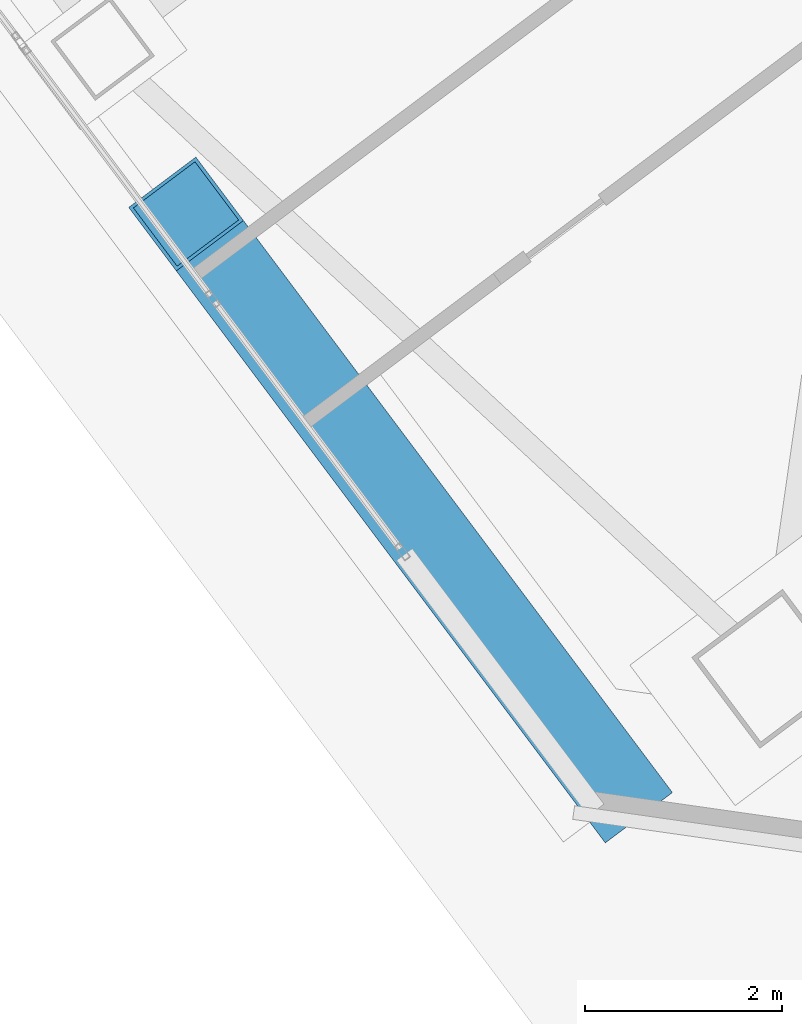
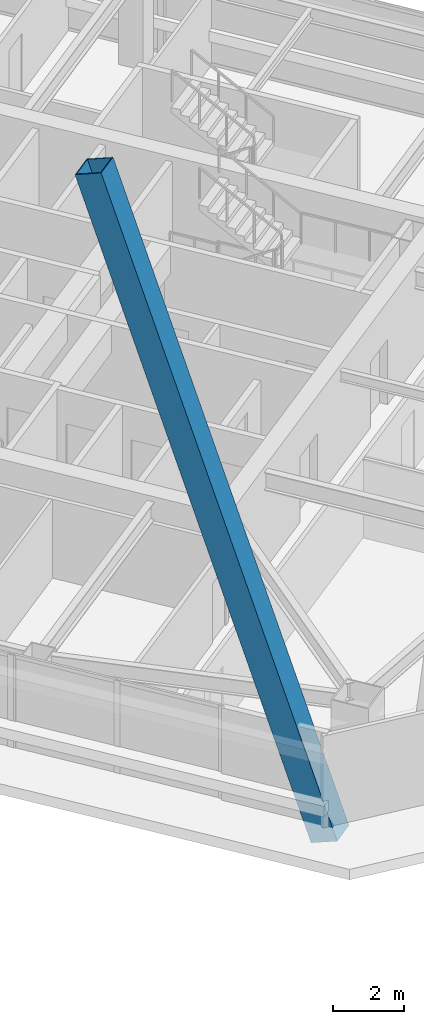
# One storey, part 28 of 65: 1 member.
"""IFC4 building model written with IfcOpenShell, lengths in metres."""

from ifc_helpers import new_model, si_unit, direction, frame, origin, origin_2d, place, context, subcontext, project, spatial, hollow_rectangle, extrude, material, material_profile, profile_set, type_object, element, save


model = new_model("IFC4")

# Units and contexts
model_context = context("Model", 3, precision=1e-05, world=origin(), true_north=direction((0.0, 1.0)))
body_context = subcontext(model_context, "Body", "Model", "MODEL_VIEW")
ifc_project = project(units=[si_unit("LENGTHUNIT", "METRE"), si_unit("AREAUNIT", "SQUARE_METRE"), si_unit("VOLUMEUNIT", "CUBIC_METRE"), si_unit("PLANEANGLEUNIT", "RADIAN"), si_unit("MASSUNIT", "GRAM", prefix="KILO")], contexts=[model_context])

# Site, building, storey
site_placement = place(None, origin())
site = spatial("IfcSite", under=ifc_project, at=site_placement, CompositionType="ELEMENT")
building_placement = place(site_placement, origin())
building = spatial("IfcBuilding", under=site, at=building_placement, Name="Tashvorn Skyway Center", CompositionType="ELEMENT")
storey_placement = place(building_placement, frame((0.0, 0.0, 157.0)))
storey = spatial("IfcBuildingStorey", under=building, at=storey_placement, Name="L42", CompositionType="ELEMENT", Elevation=157.0)

# Member
ifc_material = material(Name="Steel ASTM A572 Grade 50", Category="steel")
ifc_material_profile = material_profile(ifc_material, hollow_rectangle(XDim=0.85009765625, YDim=0.85009765625, WallThickness=0.034912109375, at=origin_2d()), Name="BOX850x850x35")
ifc_profile_set = profile_set([ifc_material_profile], Name="Steel ASTM A572 Grade 50")
member_type = type_object("IfcMemberType", Name="MEM-MB-850", PredefinedType="BRACE", material=ifc_profile_set)
member_placement = place(storey_placement, frame((109.51611328125, 10.511962890625, -0.199951171875), z_axis=(-0.195390461632, 0.260516960209, 0.945491132135), x_axis=(-0.799995959088, -0.600005387845, 0.0)))
element("IfcMember", 1, at=member_placement, inside=storey, type_object=member_type, Name="Tower 2 Zone 4 W Chevron Mega-Brace R1", PredefinedType="BRACE", context=body_context, shape_type="SweptSolid", body=[
    extrude(hollow_rectangle(XDim=0.85009765625, YDim=0.85009765625, WallThickness=0.034912109375, at=origin_2d()), origin(), (0.0, 0.0, 1.0), 22.263671875),
])

save(model, "model.ifc")
